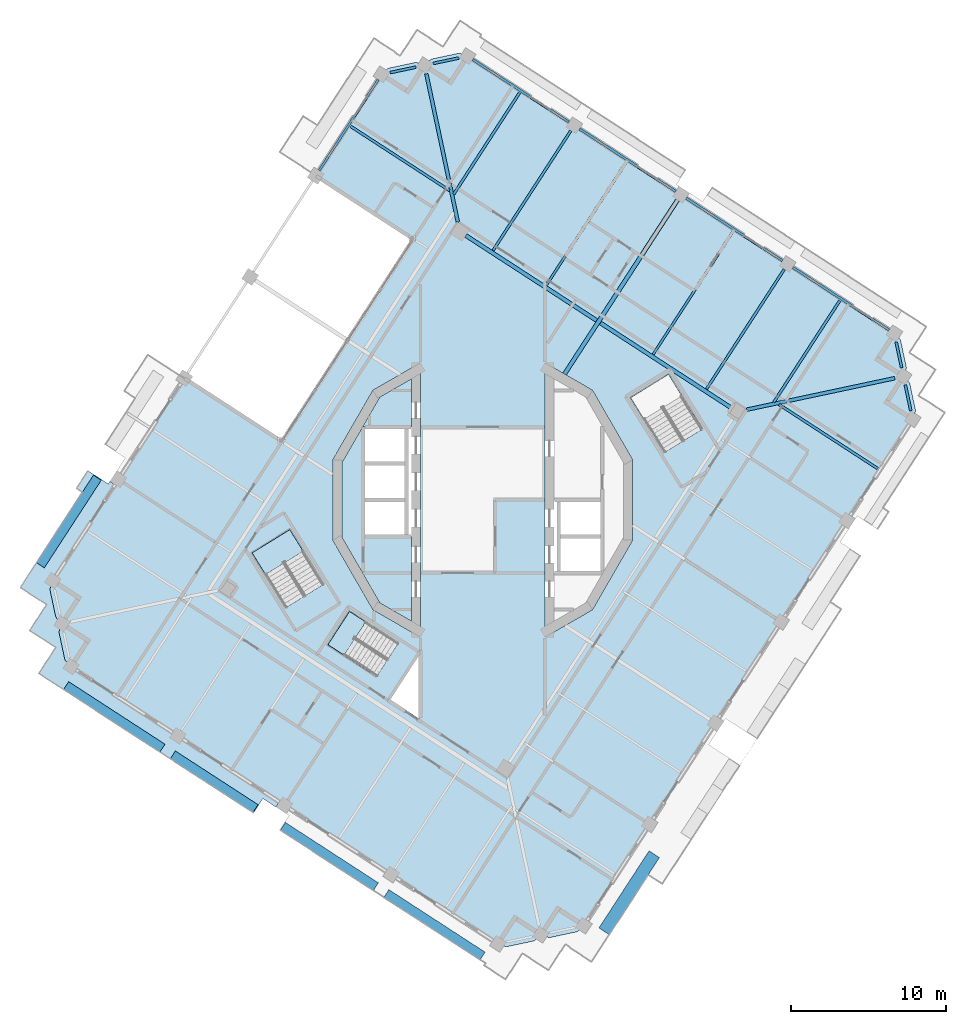
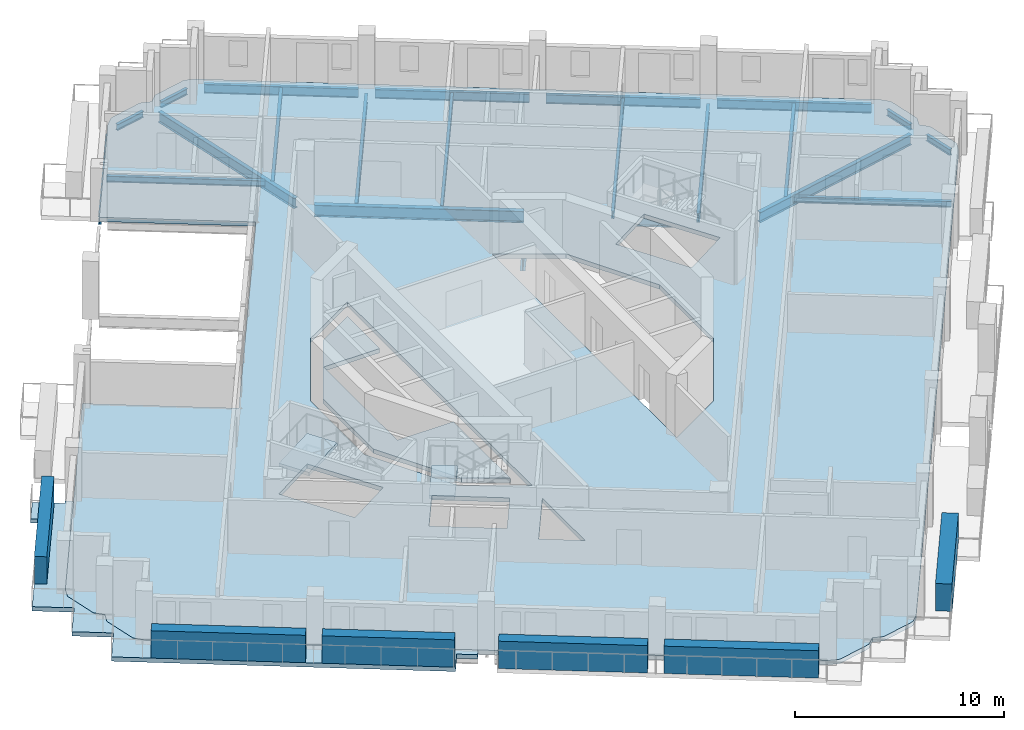
# One storey, part 3 of 17: 22 beams, 6 plates, 5 slabs, 2 elements without a shape of their own.
"""IFC4 building model written with IfcOpenShell, lengths in metres."""

from ifc_helpers import new_model, si_unit, direction, frame, origin, origin_2d, place, context, subcontext, project, spatial, polyline, rectangle, i_section, outline, extrude, material, layer, layer_set, material_profile, profile_set, type_object, element, aggregate, save


model = new_model("IFC4")

# Units and contexts
model_context = context("Model", 3, precision=1e-05, world=origin(), true_north=direction((0.0, 1.0)))
body_context = subcontext(model_context, "Body", "Model", "MODEL_VIEW")
ifc_project = project(units=[si_unit("LENGTHUNIT", "METRE"), si_unit("AREAUNIT", "SQUARE_METRE"), si_unit("VOLUMEUNIT", "CUBIC_METRE"), si_unit("PLANEANGLEUNIT", "RADIAN"), si_unit("MASSUNIT", "GRAM", prefix="KILO")], contexts=[model_context])

# Site, building, storey
site_placement = place(None, origin())
site = spatial("IfcSite", under=ifc_project, at=site_placement, CompositionType="ELEMENT")
building_placement = place(site_placement, origin())
building = spatial("IfcBuilding", under=site, at=building_placement, Name="Cantera Rosa Tower", CompositionType="ELEMENT")
storey_placement = place(building_placement, frame((0.0, 0.0, 286.5)))
storey = spatial("IfcBuildingStorey", under=building, at=storey_placement, Name="L65", CompositionType="ELEMENT", Elevation=286.5)

# Beams
ifc_material_1 = material(Name="Steel ASTM A992 (Fy 345 MPa)", Category="steel")
ifc_material_profile_1 = material_profile(ifc_material_1, i_section(OverallWidth=0.166015625, OverallDepth=0.528076171875, WebThickness=0.009765625, FlangeThickness=0.013671875, FilletRadius=0.0126953125, at=origin_2d()), Name="W530X74")
ifc_profile_set_1 = profile_set([ifc_material_profile_1], Name="Steel ASTM A992 (Fy 345 MPa)")
beam_type_1 = type_object("IfcBeamType", Name="STEEL BEAM W530X74", PredefinedType="BEAM", material=ifc_profile_set_1)
beam_1_placement = place(storey_placement, frame((19.430908203125, 14.865234375, -0.513916015625), z_axis=(-0.544634776066, -0.838673333724, 0.0), x_axis=(0.838673333724, -0.544634776066, 0.0)))
element("IfcBeam", 1, at=beam_1_placement, inside=storey, type_object=beam_type_1, Name="G-Z5-01 L65", PredefinedType="BEAM", context=body_context, shape_type="SweptSolid", body=[
    extrude(i_section(OverallWidth=0.166015625, OverallDepth=0.528076171875, WebThickness=0.009765625, FlangeThickness=0.013671875, FilletRadius=0.0126953125, at=origin_2d()), origin(), (0.0, 0.0, 1.0), 9.19970703125),
])
beam_2_placement = place(storey_placement, frame((5.6767578125, 23.79736328125, -0.513916015625), z_axis=(-0.544622654601, -0.838681205283, 0.0), x_axis=(0.838681205283, -0.544622654601, 0.0)))
element("IfcBeam", 2, at=beam_2_placement, inside=storey, type_object=beam_type_1, Name="G-Z5-03 L65", PredefinedType="BEAM", context=body_context, shape_type="SweptSolid", body=[
    extrude(i_section(OverallWidth=0.166015625, OverallDepth=0.528076171875, WebThickness=0.009765625, FlangeThickness=0.013671875, FilletRadius=0.0126953125, at=origin_2d()), origin(), (0.0, 0.0, 1.0), 9.199951171875),
])
ifc_material_2 = material(Name="Steel ASTM A992 (Fy 345 MPa)", Category="steel")
ifc_material_profile_2 = material_profile(ifc_material_2, i_section(OverallWidth=0.22802734375, OverallDepth=0.60205078125, WebThickness=0.010498046875, FlangeThickness=0.014892578125, FilletRadius=0.0126953125, at=origin_2d()), Name="W610X101")
ifc_profile_set_2 = profile_set([ifc_material_profile_2], Name="Steel ASTM A992 (Fy 345 MPa)")
beam_type_2 = type_object("IfcBeamType", Name="STEEL BEAM W610X101", PredefinedType="BEAM", material=ifc_profile_set_2)
for number, where, z_axis, x_axis, name in (
    (3, (-3.63134765625, 27.45751953125, -0.551025390625), (0.20790902572, -0.978148167214, 0.0), (0.978148167214, 0.20790902572, 0.0), "CB-Z5-01 L65"),
    (4, (26.560791015625, 7.8505859375, -0.551025390625), (-0.978148167214, -0.20790902572, 0.0), (0.20790902572, -0.978148167214, 0.0), "CB-Z5-04 L65"),
):
    element("IfcBeam", number, at=place(storey_placement, frame(where, z_axis=z_axis, x_axis=x_axis)), inside=storey, type_object=beam_type_2, Name=name, PredefinedType="BEAM", context=body_context, shape_type="SweptSolid", body=[
        extrude(i_section(OverallWidth=0.22802734375, OverallDepth=0.60205078125, WebThickness=0.010498046875, FlangeThickness=0.014892578125, FilletRadius=0.0126953125, at=origin_2d()), origin(), (0.0, 0.0, 1.0), 9.758056640625),
    ])
ifc_material_3 = material(Name="Steel ASTM A992 (Fy 345 MPa)", Category="steel")
ifc_material_profile_3 = material_profile(ifc_material_3, i_section(OverallWidth=0.25390625, OverallDepth=0.677978515625, WebThickness=0.01171875, FlangeThickness=0.016357421875, FilletRadius=0.01513671875, at=origin_2d()), Name="W690X125")
ifc_profile_set_3 = profile_set([ifc_material_profile_3], Name="Steel ASTM A992 (Fy 345 MPa)")
beam_type_3 = type_object("IfcBeamType", Name="STEEL BEAM W690X125", PredefinedType="BEAM", material=ifc_profile_set_3)
beam_3_placement = place(storey_placement, frame((16.01611328125, 5.9345703125, -0.589111328125), z_axis=(-0.838672207367, 0.544636510519, 0.0), x_axis=(-0.544636510519, -0.838672207367, 0.0)))
element("IfcBeam", 5, at=beam_3_placement, inside=storey, type_object=beam_type_3, Name="RB-Z5-07 L65", PredefinedType="BEAM", context=body_context, shape_type="SweptSolid", body=[
    extrude(i_section(OverallWidth=0.25390625, OverallDepth=0.677978515625, WebThickness=0.01171875, FlangeThickness=0.016357421875, FilletRadius=0.01513671875, at=origin_2d()), origin(), (0.0, 0.0, 1.0), 10.050048828125),
])
beam_4_placement = place(storey_placement, frame((7.335693359375, 11.571533203125, -0.589111328125), z_axis=(-0.838665001306, 0.544647606792, 0.0), x_axis=(-0.544647606792, -0.838665001306, 0.0)))
element("IfcBeam", 6, at=beam_4_placement, inside=storey, type_object=beam_type_3, Name="RB-Z5-08 L65", PredefinedType="BEAM", context=body_context, shape_type="SweptSolid", body=[
    extrude(i_section(OverallWidth=0.25390625, OverallDepth=0.677978515625, WebThickness=0.01171875, FlangeThickness=0.016357421875, FilletRadius=0.01513671875, at=origin_2d()), origin(), (0.0, 0.0, 1.0), 10.0498046875),
])
ifc_material_4 = material(Name="Steel ASTM A992 (Fy 345 MPa)", Category="steel")
ifc_material_profile_4 = material_profile(ifc_material_4, i_section(OverallWidth=0.26708984375, OverallDepth=0.75390625, WebThickness=0.01318359375, FlangeThickness=0.01708984375, FilletRadius=0.0166015625, at=origin_2d()), Name="W760X147")
ifc_profile_set_4 = profile_set([ifc_material_profile_4], Name="Steel ASTM A992 (Fy 345 MPa)")
beam_type_4 = type_object("IfcBeamType", Name="STEEL BEAM W760X147", PredefinedType="BEAM", material=ifc_profile_set_4)
beam_5_placement = place(storey_placement, frame((12.553955078125, 19.331298828125, -0.626953125), z_axis=(-0.54464061985, -0.838669538739, 0.0), x_axis=(0.838669538739, -0.54464061985, 0.0)))
element("IfcBeam", 7, at=beam_5_placement, inside=storey, type_object=beam_type_4, Name="G-Z5-02 L65", PredefinedType="BEAM", context=body_context, shape_type="SweptSolid", body=[
    extrude(i_section(OverallWidth=0.26708984375, OverallDepth=0.75390625, WebThickness=0.01318359375, FlangeThickness=0.01708984375, FilletRadius=0.0166015625, at=origin_2d()), origin(), (0.0, 0.0, 1.0), 13.37744140625),
])
ifc_material_5 = material(Name="Steel ASTM A992 (Fy 345 MPa)", Category="steel")
ifc_material_profile_5 = material_profile(ifc_material_5, i_section(OverallWidth=0.1708984375, OverallDepth=0.35595703125, WebThickness=0.00732421875, FlangeThickness=0.01171875, FilletRadius=0.010009765625, at=origin_2d()), Name="W360X51")
ifc_profile_set_5 = profile_set([ifc_material_profile_5], Name="Steel ASTM A992 (Fy 345 MPa)")
beam_type_5 = type_object("IfcBeamType", Name="STEEL JOIST W360X51", PredefinedType="JOIST", material=ifc_profile_set_5)
for number, where, z_axis, x_axis, name in (
    (8, (23.005859375, 12.842041015625, -0.427978515625), (-0.544641754757, -0.838668801718, 0.0), (0.838668801718, -0.544641754757, 0.0), "B-Z5-01 L65"),
    (9, (2.37451171875, 26.239990234375, -0.427978515625), (-0.54465605183, -0.838659516851, 0.0), (0.838659516851, -0.54465605183, 0.0), "B-Z5-04 L65"),
):
    element("IfcBeam", number, at=place(storey_placement, frame(where, z_axis=z_axis, x_axis=x_axis)), inside=storey, type_object=beam_type_5, Name=name, PredefinedType="JOIST", context=body_context, shape_type="SweptSolid", body=[
        extrude(i_section(OverallWidth=0.1708984375, OverallDepth=0.35595703125, WebThickness=0.00732421875, FlangeThickness=0.01171875, FilletRadius=0.010009765625, at=origin_2d()), origin(), (0.0, 0.0, 1.0), 7.800048828125),
    ])
beam_6_placement = place(storey_placement, frame((-8.508544921875, 24.07861328125, -0.427978515625), z_axis=(0.838670629323, -0.544638940502, 0.0), x_axis=(0.544638940502, 0.838670629323, 0.0)))
element("IfcBeam", 10, at=beam_6_placement, inside=storey, type_object=beam_type_5, Name="B-Z5-05 L65", PredefinedType="JOIST", context=body_context, shape_type="SweptSolid", body=[
    extrude(i_section(OverallWidth=0.1708984375, OverallDepth=0.35595703125, WebThickness=0.00732421875, FlangeThickness=0.01171875, FilletRadius=0.010009765625, at=origin_2d()), origin(), (0.0, 0.0, 1.0), 7.58984375),
])
beam_7_placement = place(storey_placement, frame((25.457763671875, 2.020751953125, -0.427978515625), z_axis=(-0.838680170462, 0.54462424815, 0.0), x_axis=(-0.54462424815, -0.838680170462, 0.0)))
element("IfcBeam", 11, at=beam_7_placement, inside=storey, type_object=beam_type_5, Name="B-Z5-14 L65", PredefinedType="JOIST", context=body_context, shape_type="SweptSolid", body=[
    extrude(i_section(OverallWidth=0.1708984375, OverallDepth=0.35595703125, WebThickness=0.00732421875, FlangeThickness=0.01171875, FilletRadius=0.010009765625, at=origin_2d()), origin(), (0.0, 0.0, 1.0), 7.590087890625),
])
ifc_material_6 = material(Name="Steel ASTM A992 (Fy 345 MPa)", Category="steel")
ifc_material_profile_6 = material_profile(ifc_material_6, i_section(OverallWidth=0.154052734375, OverallDepth=0.4599609375, WebThickness=0.009033203125, FlangeThickness=0.015380859375, FilletRadius=0.01025390625, at=origin_2d()), Name="W460X68")
ifc_profile_set_6 = profile_set([ifc_material_profile_6], Name="Steel ASTM A992 (Fy 345 MPa)")
beam_type_6 = type_object("IfcBeamType", Name="STEEL JOIST W460X68", PredefinedType="JOIST", material=ifc_profile_set_6)
beam_8_placement = place(storey_placement, frame((16.128662109375, 17.30810546875, -0.47998046875), z_axis=(-0.544644146603, -0.838667248419, 0.0), x_axis=(0.838667248419, -0.544644146603, 0.0)))
element("IfcBeam", 12, at=beam_8_placement, inside=storey, type_object=beam_type_6, Name="B-Z5-02 L65", PredefinedType="JOIST", context=body_context, shape_type="SweptSolid", body=[
    extrude(i_section(OverallWidth=0.154052734375, OverallDepth=0.4599609375, WebThickness=0.009033203125, FlangeThickness=0.015380859375, FilletRadius=0.01025390625, at=origin_2d()), origin(), (0.0, 0.0, 1.0), 9.4501953125),
])
beam_9_placement = place(storey_placement, frame((9.25146484375, 21.77392578125, -0.47998046875), z_axis=(-0.544637775879, -0.838671385636, 0.0), x_axis=(0.838671385636, -0.544637775879, 0.0)))
element("IfcBeam", 13, at=beam_9_placement, inside=storey, type_object=beam_type_6, Name="B-Z5-03 L65", PredefinedType="JOIST", context=body_context, shape_type="SweptSolid", body=[
    extrude(i_section(OverallWidth=0.154052734375, OverallDepth=0.4599609375, WebThickness=0.009033203125, FlangeThickness=0.015380859375, FilletRadius=0.01025390625, at=origin_2d()), origin(), (0.0, 0.0, 1.0), 9.44970703125),
])
ifc_material_7 = material(Name="Steel ASTM A992 (Fy 345 MPa)", Category="steel")
ifc_material_profile_7 = material_profile(ifc_material_7, i_section(OverallWidth=0.1708984375, OverallDepth=0.35595703125, WebThickness=0.00732421875, FlangeThickness=0.01171875, FilletRadius=0.010009765625, at=origin_2d()), Name="W360X51")
ifc_profile_set_7 = profile_set([ifc_material_profile_7], Name="Steel ASTM A992 (Fy 345 MPa)")
beam_type_7 = type_object("IfcBeamType", Name="STEEL SPANDREL BEAM W360X51", PredefinedType="SPANDREL", material=ifc_profile_set_7)
for number, where, z_axis, x_axis, name in (
    (14, (-1.53564453125, 28.481201171875, -0.427978515625), (-0.978158850918, -0.20785875582, 0.0), (0.20785875582, -0.978158850918, 0.0), "EB-Z5-05 L65"),
    (15, (-4.30224609375, 27.893310546875, -0.427978515625), (-0.978129595322, -0.207996381593, 0.0), (0.207996381593, -0.978129595322, 0.0), "EB-Z5-06 L65"),
):
    element("IfcBeam", number, at=place(storey_placement, frame(where, z_axis=z_axis, x_axis=x_axis)), inside=storey, type_object=beam_type_7, Name=name, PredefinedType="SPANDREL", context=body_context, shape_type="SweptSolid", body=[
        extrude(i_section(OverallWidth=0.1708984375, OverallDepth=0.35595703125, WebThickness=0.00732421875, FlangeThickness=0.01171875, FilletRadius=0.010009765625, at=origin_2d()), origin(), (0.0, 0.0, 1.0), 1.697265625),
    ])
for number, where, z_axis, x_axis, name in (
    (16, (27.58447265625, 5.7548828125, -0.427978515625), (-0.207888006632, 0.978152634663, 0.0), (-0.978152634663, -0.207888006632, 0.0), "EB-Z5-25 L65"),
    (17, (26.996337890625, 8.521484375, -0.427978515625), (-0.207888006632, 0.978152634663, 0.0), (-0.978152634663, -0.207888006632, 0.0), "EB-Z5-26 L65"),
):
    element("IfcBeam", number, at=place(storey_placement, frame(where, z_axis=z_axis, x_axis=x_axis)), inside=storey, type_object=beam_type_7, Name=name, PredefinedType="SPANDREL", context=body_context, shape_type="SweptSolid", body=[
        extrude(i_section(OverallWidth=0.1708984375, OverallDepth=0.35595703125, WebThickness=0.00732421875, FlangeThickness=0.01171875, FilletRadius=0.010009765625, at=origin_2d()), origin(), (0.0, 0.0, 1.0), 1.697021484375),
    ])
ifc_material_8 = material(Name="Steel ASTM A992 (Fy 345 MPa)", Category="steel")
ifc_material_profile_8 = material_profile(ifc_material_8, i_section(OverallWidth=0.154052734375, OverallDepth=0.4599609375, WebThickness=0.009033203125, FlangeThickness=0.015380859375, FilletRadius=0.01025390625, at=origin_2d()), Name="W460X68")
ifc_profile_set_8 = profile_set([ifc_material_profile_8], Name="Steel ASTM A992 (Fy 345 MPa)")
beam_type_8 = type_object("IfcBeamType", Name="STEEL SPANDREL BEAM W460X68", PredefinedType="SPANDREL", material=ifc_profile_set_8)
beam_10_placement = place(storey_placement, frame((-6.7333984375, 27.08740234375, -0.47998046875), z_axis=(-0.544651451949, -0.838662504164, 0.0), x_axis=(0.838662504164, -0.544651451949, 0.0)))
element("IfcBeam", 18, at=beam_10_placement, inside=storey, type_object=beam_type_8, Name="EB-Z5-07 L65", PredefinedType="SPANDREL", context=body_context, shape_type="SweptSolid", body=[
    extrude(i_section(OverallWidth=0.154052734375, OverallDepth=0.4599609375, WebThickness=0.009033203125, FlangeThickness=0.015380859375, FilletRadius=0.01025390625, at=origin_2d()), origin(), (0.0, 0.0, 1.0), 6.980224609375),
])
ifc_material_9 = material(Name="Steel ASTM A992 (Fy 345 MPa)", Category="steel")
ifc_material_profile_9 = material_profile(ifc_material_9, i_section(OverallWidth=0.166015625, OverallDepth=0.528076171875, WebThickness=0.009765625, FlangeThickness=0.013671875, FilletRadius=0.0126953125, at=origin_2d()), Name="W530X74")
ifc_profile_set_9 = profile_set([ifc_material_profile_9], Name="Steel ASTM A992 (Fy 345 MPa)")
beam_type_9 = type_object("IfcBeamType", Name="STEEL SPANDREL BEAM W530X74", PredefinedType="SPANDREL", material=ifc_profile_set_9)
beam_11_placement = place(storey_placement, frame((26.1904296875, 10.95263671875, -0.513916015625), z_axis=(-0.838669679097, 0.544640403719, 0.0), x_axis=(-0.544640403719, -0.838669679097, 0.0)))
element("IfcBeam", 19, at=beam_11_placement, inside=storey, type_object=beam_type_9, Name="EB-Z5-01 L65", PredefinedType="SPANDREL", context=body_context, shape_type="SweptSolid", body=[
    extrude(i_section(OverallWidth=0.166015625, OverallDepth=0.528076171875, WebThickness=0.009765625, FlangeThickness=0.013671875, FilletRadius=0.0126953125, at=origin_2d()), origin(), (0.0, 0.0, 1.0), 7.39990234375),
])
beam_12_placement = place(storey_placement, frame((19.3134765625, 15.418701171875, -0.513916015625), z_axis=(-0.838679465365, 0.544625333946, 0.0), x_axis=(-0.544625333946, -0.838679465365, 0.0)))
element("IfcBeam", 20, at=beam_12_placement, inside=storey, type_object=beam_type_9, Name="EB-Z5-02 L65", PredefinedType="SPANDREL", context=body_context, shape_type="SweptSolid", body=[
    extrude(i_section(OverallWidth=0.166015625, OverallDepth=0.528076171875, WebThickness=0.009765625, FlangeThickness=0.013671875, FilletRadius=0.0126953125, at=origin_2d()), origin(), (0.0, 0.0, 1.0), 7.400146484375),
])
beam_13_placement = place(storey_placement, frame((12.436279296875, 19.884765625, -0.513916015625), z_axis=(-0.838669679097, 0.544640403719, 0.0), x_axis=(-0.544640403719, -0.838669679097, 0.0)))
element("IfcBeam", 21, at=beam_13_placement, inside=storey, type_object=beam_type_9, Name="EB-Z5-03 L65", PredefinedType="SPANDREL", context=body_context, shape_type="SweptSolid", body=[
    extrude(i_section(OverallWidth=0.166015625, OverallDepth=0.528076171875, WebThickness=0.009765625, FlangeThickness=0.013671875, FilletRadius=0.0126953125, at=origin_2d()), origin(), (0.0, 0.0, 1.0), 7.39990234375),
])
beam_14_placement = place(storey_placement, frame((5.559326171875, 24.350830078125, -0.513916015625), z_axis=(-0.838679465365, 0.544625333946, 0.0), x_axis=(-0.544625333946, -0.838679465365, 0.0)))
element("IfcBeam", 22, at=beam_14_placement, inside=storey, type_object=beam_type_9, Name="EB-Z5-04 L65", PredefinedType="SPANDREL", context=body_context, shape_type="SweptSolid", body=[
    extrude(i_section(OverallWidth=0.166015625, OverallDepth=0.528076171875, WebThickness=0.009765625, FlangeThickness=0.013671875, FilletRadius=0.0126953125, at=origin_2d()), origin(), (0.0, 0.0, 1.0), 7.400146484375),
])

# Slabs
ifc_material_10 = material(Name="Concrete C35/45", Category="concrete")
ifc_layer_1 = layer(ifc_material_10, 0.25)
ifc_layer_set_1 = layer_set([ifc_layer_1], Name="COMPOSITE FLOOR SLAB 250 C35/45")
slab_type_1 = type_object("IfcSlabType", Name="COMPOSITE FLOOR SLAB 250 C35/45", PredefinedType="FLOOR", material=ifc_layer_set_1)
slab_1_placement = place(storey_placement, frame((0.0, 0.0, -0.25)))
element("IfcSlab", 23, at=slab_1_placement, inside=storey, type_object=slab_type_1, Name="SLAB L65 floor 1", PredefinedType="FLOOR", context=body_context, shape_type="SweptSolid", body=[
    extrude(outline(polyline([(-4.60009765625, -2.35009765625), (-4.60009765625, -7.804931640625), (-6.6318359375, -6.6318359375), (-9.059326171875, -2.427490234375), (-9.059326171875, 2.427490234375), (-6.6318359375, 6.6318359375), (-4.60009765625, 7.804931640625), (-4.60009765625, 4.699951171875), (-7.699951171875, 4.699951171875), (-7.699951171875, 2.35009765625), (-7.699951171875, 0.0), (-7.699951171875, -2.35009765625), (-4.60009765625, -2.35009765625)])), origin(), (0.0, 0.0, 1.0), 0.25),
])
slab_2_placement = place(storey_placement, frame((0.0, 0.0, -0.25)))
element("IfcSlab", 24, at=slab_2_placement, inside=storey, type_object=slab_type_1, Name="SLAB L65 floor 2", PredefinedType="FLOOR", context=body_context, shape_type="SweptSolid", body=[
    extrude(outline(polyline([(0.982421875, -28.598876953125), (0.106689453125, -28.030029296875), (-25.650146484375, -11.303466796875), (-26.52587890625, -10.734619140625), (-26.852783203125, -10.396240234375), (-26.873046875, -10.374755859375), (-26.890869140625, -10.351318359375), (-26.90625, -10.326416015625), (-26.919189453125, -10.2998046875), (-26.929443359375, -10.272216796875), (-26.93701171875, -10.243896484375), (-27.289794921875, -8.583740234375), (-27.294677734375, -8.5546875), (-27.29638671875, -8.525390625), (-27.29541015625, -8.49609375), (-27.29150390625, -8.466796875), (-27.28466796875, -8.43798828125), (-27.275146484375, -8.410400390625), (-27.114013671875, -7.968017578125), (-27.44091796875, -7.629638671875), (-27.461181640625, -7.608154296875), (-27.47900390625, -7.584716796875), (-27.494384765625, -7.559814453125), (-27.50732421875, -7.533203125), (-27.517578125, -7.505615234375), (-27.525146484375, -7.477294921875), (-27.8779296875, -5.817138671875), (-27.882568359375, -5.7880859375), (-27.884521484375, -5.7587890625), (-27.88330078125, -5.729248046875), (-27.87939453125, -5.7001953125), (-27.872802734375, -5.67138671875), (-27.863037109375, -5.643798828125), (-27.7021484375, -5.201416015625), (-27.13330078125, -4.32568359375), (-19.2275390625, 7.84814453125), (-12.9375, 3.763427734375), (-4.462890625, 16.81298828125), (-10.7529296875, 20.89794921875), (-7.08447265625, 26.547119140625), (-6.515625, 27.4228515625), (-6.17724609375, 27.749755859375), (-6.15576171875, 27.769775390625), (-6.132080078125, 27.78759765625), (-6.107177734375, 27.802978515625), (-6.080810546875, 27.81591796875), (-6.05322265625, 27.826416015625), (-6.024658203125, 27.833740234375), (-4.36474609375, 28.186767578125), (-4.335693359375, 28.19140625), (-4.306396484375, 28.193115234375), (-4.27685546875, 28.192138671875), (-4.247802734375, 28.188232421875), (-4.218994140625, 28.181396484375), (-4.191162109375, 28.171875), (-3.7490234375, 28.0107421875), (-3.41064453125, 28.337890625), (-3.388916015625, 28.35791015625), (-3.365478515625, 28.375732421875), (-3.340576171875, 28.39111328125), (-3.314208984375, 28.404052734375), (-3.28662109375, 28.414306640625), (-3.258056640625, 28.421875), (-1.59814453125, 28.774658203125), (-1.569091796875, 28.779296875), (-1.539794921875, 28.78125), (-1.51025390625, 28.7802734375), (-1.481201171875, 28.7763671875), (-1.452392578125, 28.76953125), (-1.424560546875, 28.760009765625), (-0.982421875, 28.598876953125), (-0.106689453125, 28.030029296875), (25.650146484375, 11.303466796875), (26.52587890625, 10.734619140625), (26.852783203125, 10.396240234375), (26.873046875, 10.374755859375), (26.890869140625, 10.351318359375), (26.90625, 10.326416015625), (26.919189453125, 10.2998046875), (26.929443359375, 10.272216796875), (26.93701171875, 10.243896484375), (27.289794921875, 8.583740234375), (27.294677734375, 8.5546875), (27.29638671875, 8.525390625), (27.29541015625, 8.49609375), (27.29150390625, 8.466796875), (27.28466796875, 8.43798828125), (27.275146484375, 8.410400390625), (27.114013671875, 7.968017578125), (27.44091796875, 7.629638671875), (27.461181640625, 7.608154296875), (27.47900390625, 7.584716796875), (27.494384765625, 7.559814453125), (27.50732421875, 7.533203125), (27.517578125, 7.505615234375), (27.525146484375, 7.477294921875), (27.8779296875, 5.817138671875), (27.882568359375, 5.7880859375), (27.884521484375, 5.7587890625), (27.88330078125, 5.729248046875), (27.87939453125, 5.7001953125), (27.872802734375, 5.67138671875), (27.863037109375, 5.643798828125), (27.7021484375, 5.201416015625), (27.13330078125, 4.32568359375), (7.08447265625, -26.547119140625), (6.515625, -27.4228515625), (6.17724609375, -27.749755859375), (6.15576171875, -27.769775390625), (6.132080078125, -27.78759765625), (6.107177734375, -27.802978515625), (6.080810546875, -27.81591796875), (6.05322265625, -27.826416015625), (6.024658203125, -27.833740234375), (4.36474609375, -28.186767578125), (4.335693359375, -28.19140625), (4.306396484375, -28.193115234375), (4.27685546875, -28.192138671875), (4.247802734375, -28.188232421875), (4.218994140625, -28.181396484375), (4.191162109375, -28.171875), (3.7490234375, -28.0107421875), (3.41064453125, -28.337890625), (3.388916015625, -28.35791015625), (3.365478515625, -28.375732421875), (3.340576171875, -28.39111328125), (3.314208984375, -28.404052734375), (3.28662109375, -28.414306640625), (3.258056640625, -28.421875), (1.59814453125, -28.774658203125), (1.569091796875, -28.779296875), (1.539794921875, -28.78125), (1.51025390625, -28.7802734375), (1.481201171875, -28.7763671875), (1.452392578125, -28.76953125), (1.424560546875, -28.760009765625), (0.982421875, -28.598876953125)]), holes=[polyline([(-8.581298828125, -7.1826171875), (-9.97021484375, -9.3212890625), (-6.835205078125, -11.357177734375), (-5.4462890625, -9.218505859375), (-8.581298828125, -7.1826171875)]), polyline([(-10.258544921875, -5.433349609375), (-12.430908203125, -1.911376953125), (-14.8564453125, -3.407470703125), (-12.68408203125, -6.929443359375), (-10.258544921875, -5.433349609375)]), polyline([(-9.6591796875, 2.588134765625), (-9.6591796875, -2.588134765625), (-7.071044921875, -7.071044921875), (-4.0, -8.843994140625), (-4.0, 8.843994140625), (-7.071044921875, 7.071044921875), (-9.6591796875, 2.588134765625)]), polyline([(-4.10009765625, -14.090087890625), (-4.10009765625, -10.01318359375), (-5.962158203125, -12.880859375), (-4.10009765625, -14.090087890625)]), polyline([(9.6591796875, -2.588134765625), (9.6591796875, 2.588134765625), (7.071044921875, 7.071044921875), (4.0, 8.843994140625), (4.0, -8.843994140625), (7.071044921875, -7.071044921875), (9.6591796875, -2.588134765625)]), polyline([(14.1416015625, 4.566650390625), (11.96923828125, 8.088623046875), (9.54345703125, 6.592529296875), (11.7158203125, 3.070556640625), (14.1416015625, 4.566650390625)])]), origin(), (0.0, 0.0, 1.0), 0.25),
])
ifc_material_11 = material(Name="Concrete C35/45", Category="concrete")
ifc_layer_2 = layer(ifc_material_11, 0.25)
ifc_layer_set_2 = layer_set([ifc_layer_2], Name="LOGGIA SLAB 250 C35/45")
slab_type_2 = type_object("IfcSlabType", Name="LOGGIA SLAB 250 C35/45", PredefinedType="FLOOR", material=ifc_layer_set_2)
slab_3_placement = place(storey_placement, frame((0.0, 0.0, -0.25)))
element("IfcSlab", 25, at=slab_3_placement, inside=storey, type_object=slab_type_2, Name="LOGGIA SLAB L65 1", PredefinedType="FLOOR", context=body_context, shape_type="SweptSolid", body=[
    extrude(outline(polyline([(-21.723876953125, -15.641845703125), (-27.343017578125, -11.992919921875), (-28.600830078125, -11.17578125), (-27.783935546875, -9.917724609375), (-27.51171875, -9.49853515625), (-27.930908203125, -9.22607421875), (-29.18896484375, -8.4091796875), (-28.3720703125, -7.151123046875), (-28.099609375, -6.731689453125), (-28.51904296875, -6.45947265625), (-28.524658203125, -6.468017578125), (-29.791015625, -5.6455078125), (-25.80078125, 0.499267578125), (-26.180908203125, 0.74609375), (-25.438232421875, 1.889404296875), (-24.127197265625, 1.0380859375), (-24.01806640625, 1.205810546875), (-23.6826171875, 0.98779296875), (-27.13330078125, -4.32568359375), (-27.7021484375, -5.201416015625), (-27.863037109375, -5.643798828125), (-27.872802734375, -5.67138671875), (-27.87939453125, -5.7001953125), (-27.88330078125, -5.729248046875), (-27.884521484375, -5.7587890625), (-27.882568359375, -5.7880859375), (-27.8779296875, -5.817138671875), (-27.525146484375, -7.477294921875), (-27.517578125, -7.505615234375), (-27.50732421875, -7.533203125), (-27.494384765625, -7.559814453125), (-27.47900390625, -7.584716796875), (-27.461181640625, -7.608154296875), (-27.44091796875, -7.629638671875), (-27.114013671875, -7.968017578125), (-27.275146484375, -8.410400390625), (-27.28466796875, -8.43798828125), (-27.29150390625, -8.466796875), (-27.29541015625, -8.49609375), (-27.29638671875, -8.525390625), (-27.294677734375, -8.5546875), (-27.289794921875, -8.583740234375), (-26.93701171875, -10.243896484375), (-26.929443359375, -10.272216796875), (-26.919189453125, -10.2998046875), (-26.90625, -10.326416015625), (-26.890869140625, -10.351318359375), (-26.873046875, -10.374755859375), (-26.852783203125, -10.396240234375), (-26.52587890625, -10.734619140625), (-25.650146484375, -11.303466796875), (-13.107421875, -19.448974609375), (-13.3251953125, -19.784423828125), (-14.163818359375, -19.23974609375), (-14.762939453125, -20.162353515625), (-14.8466796875, -20.10791015625), (-19.207763671875, -17.275634765625), (-21.723876953125, -15.641845703125)])), origin(), (0.0, 0.0, 1.0), 0.25),
])

# Plates
ifc_material_12 = material(Name="Cantera stone planter with soil", Category="masonry")
plate_type_1 = type_object("IfcPlateType", Name="PLANTER 600", PredefinedType="USERDEFINED", material=ifc_material_12)
plate_1_placement = place(storey_placement, frame((-26.66650390625, -1.384765625, 0.0), z_axis=(0.0, 0.0, 1.0), x_axis=(-0.544639035015, -0.838670567945, 0.0)))
element("IfcPlate", 26, at=plate_1_placement, inside=storey, type_object=plate_type_1, Name="PLANTER L65-09", ObjectType="PLANTER", PredefinedType="USERDEFINED", context=body_context, shape_type="SweptSolid", body=[
    extrude(rectangle(XDim=6.72998046875, YDim=0.60009765625, at=origin_2d()), origin(), (0.0, 0.0, 1.0), 1.60009765625),
])
plate_2_placement = place(storey_placement, frame((-23.740966796875, -13.97412109375, 0.0), z_axis=(0.0, 0.0, 1.0), x_axis=(0.838670567945, -0.544639035015, 0.0)))
element("IfcPlate", 27, at=plate_2_placement, inside=storey, type_object=plate_type_1, Name="PLANTER L65-10", ObjectType="PLANTER", PredefinedType="USERDEFINED", context=body_context, shape_type="SweptSolid", body=[
    extrude(rectangle(XDim=7.39990234375, YDim=0.60009765625, at=origin_2d()), origin(), (0.0, 0.0, 1.0), 1.60009765625),
])
plate_3_placement = place(storey_placement, frame((-17.30419921875, -18.154296875, 0.0), z_axis=(0.0, 0.0, 1.0), x_axis=(0.838670567945, -0.544639035015, 0.0)))
element("IfcPlate", 28, at=plate_3_placement, inside=storey, type_object=plate_type_1, Name="PLANTER L65-11", ObjectType="PLANTER", PredefinedType="USERDEFINED", context=body_context, shape_type="SweptSolid", body=[
    extrude(rectangle(XDim=6.35009765625, YDim=0.60009765625, at=origin_2d()), origin(), (0.0, 0.0, 1.0), 1.60009765625),
])
plate_4_placement = place(storey_placement, frame((-9.882080078125, -22.974365234375, 0.0), z_axis=(0.0, 0.0, 1.0), x_axis=(0.838670567945, -0.544639035015, 0.0)))
element("IfcPlate", 29, at=plate_4_placement, inside=storey, type_object=plate_type_1, Name="PLANTER L65-12", ObjectType="PLANTER", PredefinedType="USERDEFINED", context=body_context, shape_type="SweptSolid", body=[
    extrude(rectangle(XDim=7.14990234375, YDim=0.60009765625, at=origin_2d()), origin(), (0.0, 0.0, 1.0), 1.60009765625),
])
plate_5_placement = place(storey_placement, frame((-3.109619140625, -27.372314453125, 0.0), z_axis=(0.0, 0.0, 1.0), x_axis=(0.838670567945, -0.544639035015, 0.0)))
element("IfcPlate", 30, at=plate_5_placement, inside=storey, type_object=plate_type_1, Name="PLANTER L65-13", ObjectType="PLANTER", PredefinedType="USERDEFINED", context=body_context, shape_type="SweptSolid", body=[
    extrude(rectangle(XDim=7.39990234375, YDim=0.60009765625, at=origin_2d()), origin(), (0.0, 0.0, 1.0), 1.60009765625),
])
ifc_material_13 = material(Name="Cantera stone planter with soil", Category="masonry")
plate_type_2 = type_object("IfcPlateType", Name="PLANTER 800", PredefinedType="USERDEFINED", material=ifc_material_13)
plate_6_placement = place(storey_placement, frame((9.438720703125, -25.30859375, 0.0), z_axis=(0.0, 0.0, 1.0), x_axis=(0.544639035015, 0.838670567945, 0.0)))
element("IfcPlate", 31, at=plate_6_placement, inside=storey, type_object=plate_type_2, Name="PLANTER L65-14", ObjectType="PLANTER", PredefinedType="USERDEFINED", context=body_context, shape_type="SweptSolid", body=[
    extrude(rectangle(XDim=5.929931640625, YDim=0.800048828125, at=origin_2d()), origin(), (0.0, 0.0, 1.0), 1.60009765625),
])

# Stair, slab
ifc_material_14 = material(Name="Concrete C35/45", Category="concrete")
stair_type_1 = type_object("IfcStairType", Name="EXIT STAIR 1350 DOGLEG", PredefinedType="HALF_TURN_STAIR", material=ifc_material_14)
stair_1_placement = place(storey_placement, origin())
stair_1 = element("IfcStair", 32, at=stair_1_placement, inside=storey, type_object=stair_type_1, Name="L65 ST-52", PredefinedType="HALF_TURN_STAIR")
ifc_material_15 = material(Name="Concrete C35/45", Category="concrete")
ifc_layer_3 = layer(ifc_material_15, 0.199951171875)
ifc_layer_set_3 = layer_set([ifc_layer_3], Name="STAIR LANDING 200")
slab_type_3 = type_object("IfcSlabType", Name="STAIR LANDING 200", PredefinedType="LANDING", material=ifc_layer_set_3)
slab_4_placement = place(storey_placement, frame((0.0, 0.0, 1.60009765625)))
slab_4 = element("IfcSlab", 33, at=slab_4_placement, type_object=slab_type_3, Name="ST-52 landing 1", PredefinedType="LANDING", context=body_context, shape_type="SweptSolid", body=[
    extrude(outline(polyline([(-11.56884765625, -3.308837890625), (-12.430908203125, -1.911376953125), (-14.8564453125, -3.407470703125), (-13.99462890625, -4.80517578125), (-11.56884765625, -3.308837890625)])), origin(), (0.0, 0.0, 1.0), 0.199951171875),
])
aggregate(stair_1, [slab_4])

ifc_material_16 = material(Name="Concrete C35/45", Category="concrete")
stair_type_2 = type_object("IfcStairType", Name="EXIT STAIR 1200 DOGLEG", PredefinedType="HALF_TURN_STAIR", material=ifc_material_16)
stair_2_placement = place(storey_placement, origin())
stair_2 = element("IfcStair", 34, at=stair_2_placement, inside=storey, type_object=stair_type_2, Name="L65 ST-53", PredefinedType="HALF_TURN_STAIR")
slab_5_placement = place(storey_placement, frame((0.0, 0.0, 1.60009765625)))
slab_5 = element("IfcSlab", 35, at=slab_5_placement, type_object=slab_type_3, Name="ST-53 landing 1", PredefinedType="LANDING", context=body_context, shape_type="SweptSolid", body=[
    extrude(outline(polyline([(-7.53955078125, -7.859130859375), (-8.581298828125, -7.1826171875), (-9.97021484375, -9.3212890625), (-8.928466796875, -9.997802734375), (-7.53955078125, -7.859130859375)])), origin(), (0.0, 0.0, 1.0), 0.199951171875),
])
aggregate(stair_2, [slab_5])

save(model, "model.ifc")
